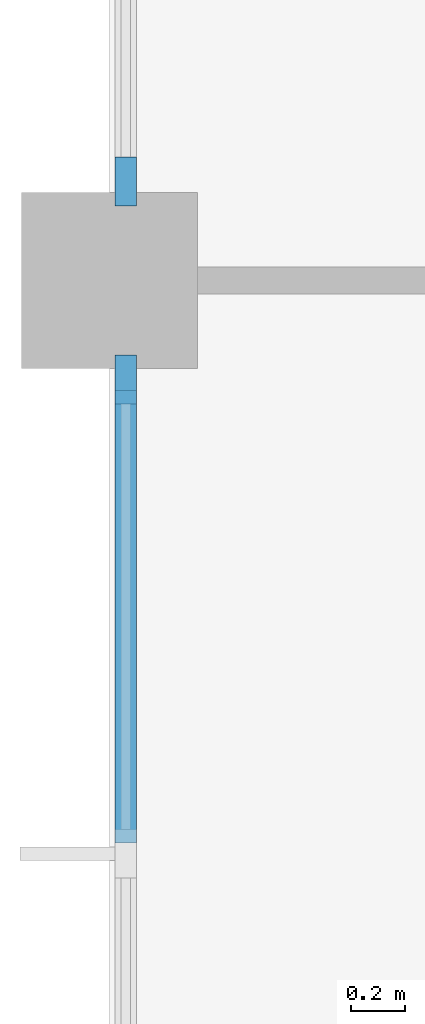
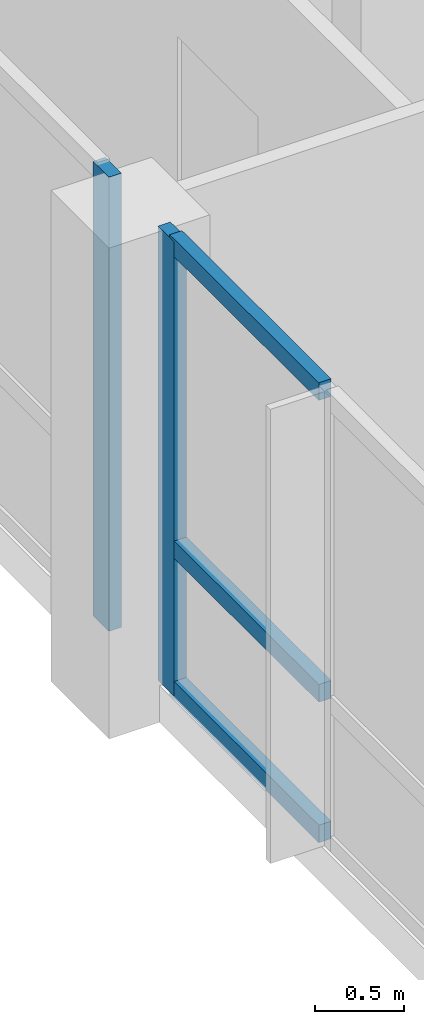
# One storey, part 4 of 17: 5 members, 2 elements without a shape of their own.
"""IFC4 building model written with IfcOpenShell, lengths in metres."""

from ifc_helpers import new_model, si_unit, direction, frame, origin, origin_2d, place, context, subcontext, project, spatial, rectangle, extrude, material, material_profile, profile_set, type_object, element, aggregate, save


model = new_model("IFC4")

# Units and contexts
model_context = context("Model", 3, precision=1e-05, world=origin(), true_north=direction((0.0, 1.0)))
body_context = subcontext(model_context, "Body", "Model", "MODEL_VIEW")
ifc_project = project(units=[si_unit("LENGTHUNIT", "METRE"), si_unit("AREAUNIT", "SQUARE_METRE"), si_unit("VOLUMEUNIT", "CUBIC_METRE"), si_unit("PLANEANGLEUNIT", "RADIAN"), si_unit("MASSUNIT", "GRAM", prefix="KILO")], contexts=[model_context])

# Site, building, storey
site_placement = place(None, origin())
site = spatial("IfcSite", under=ifc_project, at=site_placement, CompositionType="ELEMENT")
building_placement = place(site_placement, origin())
building = spatial("IfcBuilding", under=site, at=building_placement, Name="Ludao Terraces", CompositionType="ELEMENT")
storey_placement = place(building_placement, frame((0.0, 0.0, 263.0)))
storey = spatial("IfcBuildingStorey", under=building, at=storey_placement, Name="L72", CompositionType="ELEMENT", Elevation=263.0)

# Curtain wall, member
ifc_material_1 = material(Name="Aluminium curtain wall with fritted glass", Category="aluminium")
curtain_wall_type = type_object("IfcCurtainWallType", Name="ENV CW4 lounge glazing", PredefinedType="NOTDEFINED", material=ifc_material_1)
curtain_wall_1_placement = place(storey_placement, origin())
curtain_wall_1 = element("IfcCurtainWall", 1, at=curtain_wall_1_placement, inside=storey, type_object=curtain_wall_type, Name="Sky lounge glazing L72 W4", PredefinedType="NOTDEFINED")
ifc_material_2 = material(Name="Aluminium 6063-T6", Category="aluminium")
ifc_material_profile_1 = material_profile(ifc_material_2, rectangle(XDim=0.080078125, YDim=0.179931640625, at=origin_2d()), Name="80 X 180")
ifc_profile_set_1 = profile_set([ifc_material_profile_1], Name="Aluminium 6063-T6")
member_type_1 = type_object("IfcMemberType", Name="ENV CW4 mullion 80x180", PredefinedType="MULLION", material=ifc_profile_set_1)
member_1_placement = place(storey_placement, frame((65.56005859375, 76.3349609375, 0.0), z_axis=(0.0, 0.0, 1.0), x_axis=(-1.0, 0.0, 0.0)))
member_1 = element("IfcMember", 2, at=member_1_placement, type_object=member_type_1, Name="CW4 mullion 5", PredefinedType="MULLION", context=body_context, shape_type="SweptSolid", body=[
    extrude(rectangle(XDim=0.080078125, YDim=0.179931640625, at=origin_2d()), origin(), (0.0, 0.0, 1.0), 3.10009765625),
])

curtain_wall_2_placement = place(storey_placement, origin())
curtain_wall_2 = element("IfcCurtainWall", 3, at=curtain_wall_2_placement, inside=storey, type_object=curtain_wall_type, Name="Sky lounge glazing L72 W5", PredefinedType="NOTDEFINED")
member_2_placement = place(storey_placement, frame((65.56005859375, 77.06494140625, 0.0), z_axis=(0.0, 0.0, 1.0), x_axis=(-1.0, 0.0, 0.0)))
member_2 = element("IfcMember", 4, at=member_2_placement, type_object=member_type_1, Name="CW4 mullion 1", PredefinedType="MULLION", context=body_context, shape_type="SweptSolid", body=[
    extrude(rectangle(XDim=0.080078125, YDim=0.179931640625, at=origin_2d()), origin(), (0.0, 0.0, 1.0), 3.10009765625),
])
aggregate(curtain_wall_2, [member_2])

# Member
ifc_material_profile_2 = material_profile(ifc_material_2, rectangle(XDim=0.080078125, YDim=0.1201171875, at=origin_2d()), Name="80 X 120")
ifc_profile_set_2 = profile_set([ifc_material_profile_2], Name="Aluminium 6063-T6")
member_type_2 = type_object("IfcMemberType", Name="ENV CW4 transom 80x120", PredefinedType="USERDEFINED", material=ifc_profile_set_2)
member_3_placement = place(storey_placement, frame((65.56005859375, 74.62744140625, 0.0400390625), z_axis=(0.0, 1.0, 0.0), x_axis=(-1.0, 0.0, 0.0)))
member_3 = element("IfcMember", 5, at=member_3_placement, type_object=member_type_2, Name="CW4 transom 4.1", ObjectType="TRANSOM", PredefinedType="USERDEFINED", context=body_context, shape_type="SweptSolid", body=[
    extrude(rectangle(XDim=0.080078125, YDim=0.1201171875, at=origin_2d()), origin(), (0.0, 0.0, 1.0), 1.66748046875),
])

member_4_placement = place(storey_placement, frame((65.56005859375, 74.62744140625, 1.0), z_axis=(0.0, 1.0, 0.0), x_axis=(-1.0, 0.0, 0.0)))
member_4 = element("IfcMember", 6, at=member_4_placement, type_object=member_type_2, Name="CW4 transom 4.2", ObjectType="TRANSOM", PredefinedType="USERDEFINED", context=body_context, shape_type="SweptSolid", body=[
    extrude(rectangle(XDim=0.080078125, YDim=0.1201171875, at=origin_2d()), origin(), (0.0, 0.0, 1.0), 1.66748046875),
])

member_5_placement = place(storey_placement, frame((65.56005859375, 74.62744140625, 3.06005859375), z_axis=(0.0, 1.0, 0.0), x_axis=(-1.0, 0.0, 0.0)))
member_5 = element("IfcMember", 7, at=member_5_placement, type_object=member_type_2, Name="CW4 transom 4.3", ObjectType="TRANSOM", PredefinedType="USERDEFINED", context=body_context, shape_type="SweptSolid", body=[
    extrude(rectangle(XDim=0.080078125, YDim=0.1201171875, at=origin_2d()), origin(), (0.0, 0.0, 1.0), 1.66748046875),
])

aggregate(curtain_wall_1, [member_1, member_3, member_4, member_5])

save(model, "model.ifc")
